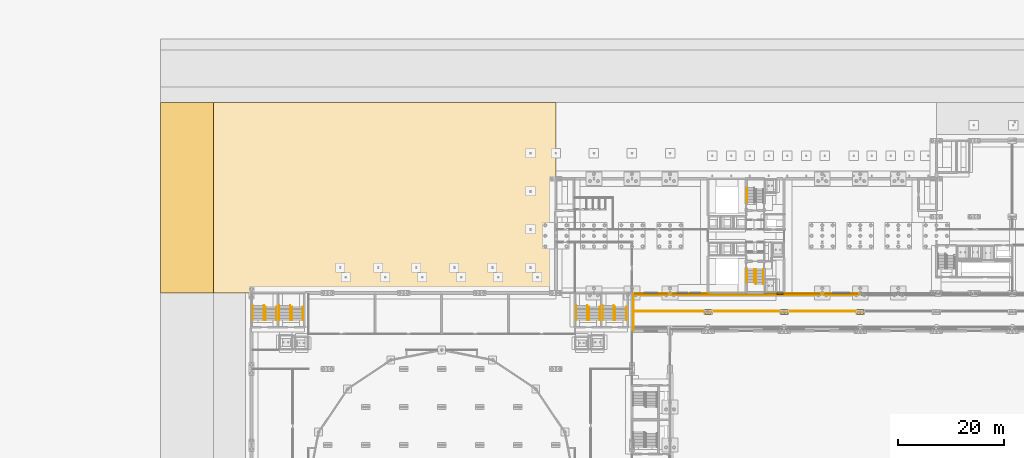
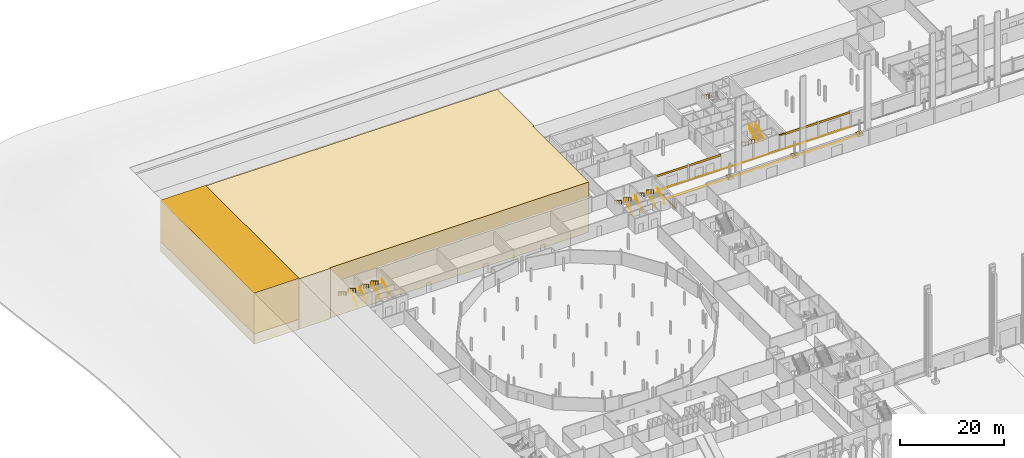
# One storey, part 138 of 148: 21 coverings, 21 railings.
"""IFC4 building model written with IfcOpenShell, lengths in metres."""

from ifc_helpers import new_model, si_unit, direction, frame, origin, origin_2d, place, context, subcontext, project, spatial, polyline, rectangle, circle, outline, extrude, material, layer, layer_set, type_object, element, save


model = new_model("IFC4")

# Units and contexts
model_context = context("Model", 3, precision=1e-05, world=origin(), true_north=direction((0.0, 1.0)))
body_context = subcontext(model_context, "Body", "Model", "MODEL_VIEW")
ifc_project = project(units=[si_unit("LENGTHUNIT", "METRE"), si_unit("AREAUNIT", "SQUARE_METRE"), si_unit("VOLUMEUNIT", "CUBIC_METRE"), si_unit("PLANEANGLEUNIT", "RADIAN"), si_unit("MASSUNIT", "GRAM", prefix="KILO")], contexts=[model_context])

# Site, building, storey
site_placement = place(None, origin())
site = spatial("IfcSite", under=ifc_project, at=site_placement, CompositionType="ELEMENT")
building_placement = place(site_placement, origin())
building = spatial("IfcBuilding", under=site, at=building_placement, Name="Kupolbacken Congress Centre", CompositionType="ELEMENT")
storey_placement = place(building_placement, origin())
storey = spatial("IfcBuildingStorey", under=building, at=storey_placement, Name="L00", CompositionType="ELEMENT", Elevation=0.0)

# Coverings
ifc_material_1 = material(Name="Limestone cladding", Category="masonry")
ifc_layer_1 = layer(ifc_material_1, 0.1201171875)
ifc_layer_set_1 = layer_set([ifc_layer_1], Name="Limestone cladding")
covering_type_1 = type_object("IfcCoveringType", Name="CV1 limestone cladding band 120", PredefinedType="CLADDING", material=ifc_layer_set_1)
covering_1_placement = place(storey_placement, frame((79.47998046875, 118.69189453125, 0.0), z_axis=(0.0, 0.0, 1.0), x_axis=(0.0, 1.0, 0.0)))
element("IfcCovering", 1, at=covering_1_placement, inside=storey, type_object=covering_type_1, Name="E/P/E/L00/093/band", PredefinedType="CLADDING", context=body_context, shape_type="SweptSolid", body=[
    extrude(rectangle(XDim=6.98388671875, YDim=0.1201171875, at=origin_2d()), origin(), (0.0, 0.0, 1.0), 0.300048828125),
])
covering_2_placement = place(storey_placement, frame((82.800048828125, 122.282470703125, 3.1201171875), z_axis=(0.0, 0.0, 1.0), x_axis=(1.0, 0.0, 0.0)))
element("IfcCovering", 2, at=covering_2_placement, inside=storey, type_object=covering_type_1, Name="E/T/S/L00/000/band", PredefinedType="CLADDING", context=body_context, shape_type="SweptSolid", body=[
    extrude(rectangle(XDim=6.89306640625, YDim=0.06494140625, at=origin_2d()), origin(), (0.0, 0.0, 1.0), 0.47998046875),
])
covering_3_placement = place(storey_placement, frame((90.07666015625, 122.282470703125, 3.1201171875), z_axis=(0.0, 0.0, 1.0), x_axis=(1.0, 0.0, 0.0)))
element("IfcCovering", 3, at=covering_3_placement, inside=storey, type_object=covering_type_1, Name="E/T/S/L00/001/band", PredefinedType="CLADDING", context=body_context, shape_type="SweptSolid", body=[
    extrude(rectangle(XDim=7.04638671875, YDim=0.06494140625, at=origin_2d()), origin(), (0.0, 0.0, 1.0), 0.47998046875),
])
covering_4_placement = place(storey_placement, frame((107.199951171875, 122.2451171875, 3.419921875), z_axis=(0.0, 0.0, 1.0), x_axis=(1.0, 0.0, 0.0)))
element("IfcCovering", 4, at=covering_4_placement, inside=storey, type_object=covering_type_1, Name="E/T/S/L00/002/band", PredefinedType="CLADDING", context=body_context, shape_type="SweptSolid", body=[
    extrude(rectangle(XDim=1.199951171875, YDim=0.31005859375, at=origin_2d()), origin(), (0.0, 0.0, 1.0), 0.179931640625),
])
covering_5_placement = place(storey_placement, frame((111.523193359375, 122.282470703125, 3.1201171875), z_axis=(0.0, 0.0, 1.0), x_axis=(1.0, 0.0, 0.0)))
element("IfcCovering", 5, at=covering_5_placement, inside=storey, type_object=covering_type_1, Name="E/T/S/L00/003/band", PredefinedType="CLADDING", context=body_context, shape_type="SweptSolid", body=[
    extrude(rectangle(XDim=7.04638671875, YDim=0.06494140625, at=origin_2d()), origin(), (0.0, 0.0, 1.0), 0.47998046875),
])
covering_6_placement = place(storey_placement, frame((118.800048828125, 122.282470703125, 3.1201171875), z_axis=(0.0, 0.0, 1.0), x_axis=(1.0, 0.0, 0.0)))
element("IfcCovering", 6, at=covering_6_placement, inside=storey, type_object=covering_type_1, Name="E/T/S/L00/004/band", PredefinedType="CLADDING", context=body_context, shape_type="SweptSolid", body=[
    extrude(rectangle(XDim=6.89306640625, YDim=0.06494140625, at=origin_2d()), origin(), (0.0, 0.0, 1.0), 0.47998046875),
])
ifc_material_2 = material(Name="Limestone cladding", Category="masonry")
ifc_layer_2 = layer(ifc_material_2, 0.60009765625)
ifc_layer_set_2 = layer_set([ifc_layer_2], Name="Limestone cladding")
covering_type_2 = type_object("IfcCoveringType", Name="CV5 limestone arcade pier 600", PredefinedType="CLADDING", material=ifc_layer_set_2)
covering_7_placement = place(storey_placement, frame((0.0, 0.0, 0.02001953125)))
element("IfcCovering", 7, at=covering_7_placement, inside=storey, type_object=covering_type_2, Name="Mast pedestal", PredefinedType="CLADDING", context=body_context, shape_type="SweptSolid", body=[
    extrude(outline(polyline([(93.0, 118.300048828125), (93.0, 119.300048828125), (94.199951171875, 119.300048828125), (94.199951171875, 118.300048828125), (93.0, 118.300048828125)]), holes=[polyline([(93.80224609375, 118.82666015625), (93.797119140625, 118.852783203125), (93.788330078125, 118.8779296875), (93.776611328125, 118.902099609375), (93.76171875, 118.924072265625), (93.744140625, 118.944091796875), (93.72412109375, 118.9619140625), (93.701904296875, 118.9765625), (93.677978515625, 118.98828125), (93.65283203125, 118.9970703125), (93.626708984375, 119.002197265625), (93.60009765625, 119.00390625), (93.573486328125, 119.002197265625), (93.547119140625, 118.9970703125), (93.52197265625, 118.98828125), (93.498046875, 118.9765625), (93.475830078125, 118.9619140625), (93.455810546875, 118.944091796875), (93.438232421875, 118.924072265625), (93.42333984375, 118.902099609375), (93.41162109375, 118.8779296875), (93.403076171875, 118.852783203125), (93.397705078125, 118.82666015625), (93.39599609375, 118.800048828125), (93.397705078125, 118.7734375), (93.403076171875, 118.747314453125), (93.41162109375, 118.721923828125), (93.42333984375, 118.697998046875), (93.438232421875, 118.67578125), (93.455810546875, 118.65576171875), (93.475830078125, 118.63818359375), (93.498046875, 118.623291015625), (93.52197265625, 118.611572265625), (93.547119140625, 118.60302734375), (93.573486328125, 118.597900390625), (93.60009765625, 118.59619140625), (93.626708984375, 118.597900390625), (93.65283203125, 118.60302734375), (93.677978515625, 118.611572265625), (93.701904296875, 118.623291015625), (93.72412109375, 118.63818359375), (93.744140625, 118.65576171875), (93.76171875, 118.67578125), (93.776611328125, 118.697998046875), (93.788330078125, 118.721923828125), (93.797119140625, 118.747314453125), (93.80224609375, 118.7734375), (93.803955078125, 118.800048828125), (93.80224609375, 118.82666015625)])]), origin(), (0.0, 0.0, 1.0), 0.60009765625),
])
covering_8_placement = place(storey_placement, frame((0.0, 0.0, 0.02001953125)))
element("IfcCovering", 8, at=covering_8_placement, inside=storey, type_object=covering_type_2, Name="Mast pedestal", PredefinedType="CLADDING", context=body_context, shape_type="SweptSolid", body=[
    extrude(outline(polyline([(107.39990234375, 118.300048828125), (107.39990234375, 119.300048828125), (108.60009765625, 119.300048828125), (108.60009765625, 118.300048828125), (107.39990234375, 118.300048828125)]), holes=[polyline([(108.2021484375, 118.82666015625), (108.197021484375, 118.852783203125), (108.1884765625, 118.8779296875), (108.176513671875, 118.902099609375), (108.161865234375, 118.924072265625), (108.144287109375, 118.944091796875), (108.1240234375, 118.9619140625), (108.10205078125, 118.9765625), (108.077880859375, 118.98828125), (108.052734375, 118.9970703125), (108.026611328125, 119.002197265625), (108.0, 119.00390625), (107.973388671875, 119.002197265625), (107.947265625, 118.9970703125), (107.922119140625, 118.98828125), (107.89794921875, 118.9765625), (107.8759765625, 118.9619140625), (107.855712890625, 118.944091796875), (107.838134765625, 118.924072265625), (107.823486328125, 118.902099609375), (107.8115234375, 118.8779296875), (107.802978515625, 118.852783203125), (107.7978515625, 118.82666015625), (107.796142578125, 118.800048828125), (107.7978515625, 118.7734375), (107.802978515625, 118.747314453125), (107.8115234375, 118.721923828125), (107.823486328125, 118.697998046875), (107.838134765625, 118.67578125), (107.855712890625, 118.65576171875), (107.8759765625, 118.63818359375), (107.89794921875, 118.623291015625), (107.922119140625, 118.611572265625), (107.947265625, 118.60302734375), (107.973388671875, 118.597900390625), (108.0, 118.59619140625), (108.026611328125, 118.597900390625), (108.052734375, 118.60302734375), (108.077880859375, 118.611572265625), (108.10205078125, 118.623291015625), (108.1240234375, 118.63818359375), (108.144287109375, 118.65576171875), (108.161865234375, 118.67578125), (108.176513671875, 118.697998046875), (108.1884765625, 118.721923828125), (108.197021484375, 118.747314453125), (108.2021484375, 118.7734375), (108.203857421875, 118.800048828125), (108.2021484375, 118.82666015625)])]), origin(), (0.0, 0.0, 1.0), 0.60009765625),
])
covering_9_placement = place(storey_placement, frame((0.0, 0.0, 0.02001953125)))
element("IfcCovering", 9, at=covering_9_placement, inside=storey, type_object=covering_type_2, Name="Mast pedestal", PredefinedType="CLADDING", context=body_context, shape_type="SweptSolid", body=[
    extrude(outline(polyline([(121.800048828125, 118.300048828125), (121.800048828125, 119.300048828125), (123.0, 119.300048828125), (123.0, 118.300048828125), (121.800048828125, 118.300048828125)]), holes=[polyline([(122.602294921875, 118.82666015625), (122.596923828125, 118.852783203125), (122.58837890625, 118.8779296875), (122.57666015625, 118.902099609375), (122.561767578125, 118.924072265625), (122.544189453125, 118.944091796875), (122.524169921875, 118.9619140625), (122.501953125, 118.9765625), (122.47802734375, 118.98828125), (122.452880859375, 118.9970703125), (122.426513671875, 119.002197265625), (122.39990234375, 119.00390625), (122.373291015625, 119.002197265625), (122.34716796875, 118.9970703125), (122.322021484375, 118.98828125), (122.298095703125, 118.9765625), (122.27587890625, 118.9619140625), (122.255859375, 118.944091796875), (122.23828125, 118.924072265625), (122.223388671875, 118.902099609375), (122.211669921875, 118.8779296875), (122.202880859375, 118.852783203125), (122.19775390625, 118.82666015625), (122.196044921875, 118.800048828125), (122.19775390625, 118.7734375), (122.202880859375, 118.747314453125), (122.211669921875, 118.721923828125), (122.223388671875, 118.697998046875), (122.23828125, 118.67578125), (122.255859375, 118.65576171875), (122.27587890625, 118.63818359375), (122.298095703125, 118.623291015625), (122.322021484375, 118.611572265625), (122.34716796875, 118.60302734375), (122.373291015625, 118.597900390625), (122.39990234375, 118.59619140625), (122.426513671875, 118.597900390625), (122.452880859375, 118.60302734375), (122.47802734375, 118.611572265625), (122.501953125, 118.623291015625), (122.524169921875, 118.63818359375), (122.544189453125, 118.65576171875), (122.561767578125, 118.67578125), (122.57666015625, 118.697998046875), (122.58837890625, 118.721923828125), (122.596923828125, 118.747314453125), (122.602294921875, 118.7734375), (122.60400390625, 118.800048828125), (122.602294921875, 118.82666015625)])]), origin(), (0.0, 0.0, 1.0), 0.60009765625),
])
ifc_material_3 = material(Name="Limestone cladding", Category="masonry")
ifc_layer_3 = layer(ifc_material_3, 0.02001953125)
ifc_layer_set_3 = layer_set([ifc_layer_3], Name="Limestone cladding")
covering_type_3 = type_object("IfcCoveringType", Name="GF1 limestone paving 20", PredefinedType="FLOORING", material=ifc_layer_set_3)
covering_10_placement = place(storey_placement, origin())
element("IfcCovering", 10, at=covering_10_placement, inside=storey, type_object=covering_type_3, Name="Bay and lane marking", PredefinedType="FLOORING", context=body_context, shape_type="SweptSolid", body=[
    extrude(outline(polyline([(93.161376953125, 118.993896484375), (93.156494140625, 118.983642578125), (93.140625, 118.939208984375), (93.129150390625, 118.893798828125), (93.122314453125, 118.84716796875), (93.1220703125, 118.84375), (79.5419921875, 118.84375), (79.5419921875, 118.993896484375), (93.161376953125, 118.993896484375)])), origin(), (0.0, 0.0, 1.0), 0.02001953125),
])
covering_11_placement = place(storey_placement, origin())
element("IfcCovering", 11, at=covering_11_placement, inside=storey, type_object=covering_type_3, Name="Bay and lane marking", PredefinedType="FLOORING", context=body_context, shape_type="SweptSolid", body=[
    extrude(outline(polyline([(107.561279296875, 118.993896484375), (107.54052734375, 118.939208984375), (107.529296875, 118.893798828125), (107.522216796875, 118.84375), (94.077880859375, 118.84375), (94.07080078125, 118.893798828125), (94.059326171875, 118.939208984375), (94.038818359375, 118.993896484375), (107.561279296875, 118.993896484375)])), origin(), (0.0, 0.0, 1.0), 0.02001953125),
])
covering_12_placement = place(storey_placement, origin())
element("IfcCovering", 12, at=covering_12_placement, inside=storey, type_object=covering_type_3, Name="Bay and lane marking", PredefinedType="FLOORING", context=body_context, shape_type="SweptSolid", body=[
    extrude(outline(polyline([(121.961181640625, 118.993896484375), (121.940673828125, 118.939208984375), (121.92919921875, 118.893798828125), (121.922119140625, 118.84375), (108.477783203125, 118.84375), (108.470703125, 118.893798828125), (108.45947265625, 118.939208984375), (108.438720703125, 118.993896484375), (121.961181640625, 118.993896484375)])), origin(), (0.0, 0.0, 1.0), 0.02001953125),
])
ifc_material_4 = material(Name="Asphalt", Category="masonry")
ifc_layer_4 = layer(ifc_material_4, 0.02001953125)
ifc_layer_set_4 = layer_set([ifc_layer_4], Name="Asphalt")
covering_type_4 = type_object("IfcCoveringType", Name="GF3 asphalt dock hardstanding 20", PredefinedType="FLOORING", material=ifc_layer_set_4)
covering_13_placement = place(storey_placement, origin())
element("IfcCovering", 13, at=covering_13_placement, inside=storey, type_object=covering_type_4, Name="Service lane asphalt", PredefinedType="FLOORING", context=body_context, shape_type="SweptSolid", body=[
    extrude(outline(polyline([(86.060546875, 122.060546875), (86.095458984375, 122.02880859375), (86.13330078125, 122.0009765625), (86.173583984375, 121.9765625), (86.138916015625, 121.99755859375), (79.5419921875, 121.99755859375), (79.5419921875, 122.0634765625), (79.571044921875, 122.095458984375), (79.57421875, 122.099609375), (86.02587890625, 122.099609375), (86.02880859375, 122.095458984375), (86.060546875, 122.060546875)])), origin(), (0.0, 0.0, 1.0), 0.02001953125),
])
covering_14_placement = place(storey_placement, origin())
element("IfcCovering", 14, at=covering_14_placement, inside=storey, type_object=covering_type_4, Name="Service lane asphalt", PredefinedType="FLOORING", context=body_context, shape_type="SweptSolid", body=[
    extrude(outline(polyline([(86.666748046875, 122.0009765625), (86.70458984375, 122.02880859375), (86.739501953125, 122.060546875), (86.774169921875, 122.099609375), (114.825927734375, 122.099609375), (114.860595703125, 122.060546875), (114.8955078125, 122.02880859375), (114.933349609375, 122.0009765625), (114.9736328125, 121.9765625), (114.93896484375, 121.99755859375), (86.6611328125, 121.99755859375), (86.626220703125, 121.9765625), (86.666748046875, 122.0009765625)])), origin(), (0.0, 0.0, 1.0), 0.02001953125),
])
covering_15_placement = place(storey_placement, origin())
element("IfcCovering", 15, at=covering_15_placement, inside=storey, type_object=covering_type_4, Name="Service lane asphalt", PredefinedType="FLOORING", context=body_context, shape_type="SweptSolid", body=[
    extrude(outline(polyline([(115.466796875, 122.0009765625), (115.50439453125, 122.02880859375), (115.539306640625, 122.060546875), (115.57421875, 122.099609375), (122.02587890625, 122.099609375), (122.060546875, 122.060546875), (122.095458984375, 122.02880859375), (122.13330078125, 122.0009765625), (122.173583984375, 121.9765625), (122.138916015625, 121.99755859375), (115.461181640625, 121.99755859375), (115.42626953125, 121.9765625), (115.466796875, 122.0009765625)])), origin(), (0.0, 0.0, 1.0), 0.02001953125),
])
ifc_material_5 = material(Name="Granite setts", Category="masonry")
ifc_layer_5 = layer(ifc_material_5, 0.10009765625)
ifc_layer_set_5 = layer_set([ifc_layer_5], Name="Granite setts")
covering_type_5 = type_object("IfcCoveringType", Name="GR3 granite sett paving 100", PredefinedType="FLOORING", material=ifc_layer_set_5)
covering_16_placement = place(storey_placement, origin())
element("IfcCovering", 16, at=covering_16_placement, inside=storey, type_object=covering_type_5, Name="Granite kerb edging", PredefinedType="FLOORING", context=body_context, shape_type="SweptSolid", body=[
    extrude(outline(polyline([(79.57421875, 122.099609375), (79.59912109375, 122.13330078125), (79.623291015625, 122.173583984375), (79.6435546875, 122.21630859375), (79.659423828125, 122.2607421875), (79.6708984375, 122.306396484375), (79.677734375, 122.352783203125), (79.679931640625, 122.3974609375), (85.920166015625, 122.3974609375), (85.92236328125, 122.352783203125), (85.92919921875, 122.306396484375), (85.940673828125, 122.2607421875), (85.95654296875, 122.21630859375), (85.9765625, 122.173583984375), (86.0009765625, 122.13330078125), (86.02587890625, 122.099609375), (79.57421875, 122.099609375)])), origin(), (0.0, 0.0, 1.0), 0.10009765625),
])
covering_17_placement = place(storey_placement, origin())
element("IfcCovering", 17, at=covering_17_placement, inside=storey, type_object=covering_type_5, Name="Granite kerb edging", PredefinedType="FLOORING", context=body_context, shape_type="SweptSolid", body=[
    extrude(outline(polyline([(93.3701171875, 122.3974609375), (93.3701171875, 122.27001953125), (100.594970703125, 122.27001953125), (100.594970703125, 122.195068359375), (104.22998046875, 122.195068359375), (104.22998046875, 122.3974609375), (114.72021484375, 122.3974609375), (114.722412109375, 122.352783203125), (114.729248046875, 122.306396484375), (114.740478515625, 122.2607421875), (114.756591796875, 122.21630859375), (114.776611328125, 122.173583984375), (114.80078125, 122.13330078125), (114.825927734375, 122.099609375), (86.774169921875, 122.099609375), (86.799072265625, 122.13330078125), (86.823486328125, 122.173583984375), (86.843505859375, 122.21630859375), (86.859375, 122.2607421875), (86.870849609375, 122.306396484375), (86.877685546875, 122.352783203125), (86.8798828125, 122.3974609375), (93.3701171875, 122.3974609375)])), origin(), (0.0, 0.0, 1.0), 0.10009765625),
])
covering_18_placement = place(storey_placement, origin())
element("IfcCovering", 18, at=covering_18_placement, inside=storey, type_object=covering_type_5, Name="Granite kerb edging", PredefinedType="FLOORING", context=body_context, shape_type="SweptSolid", body=[
    extrude(outline(polyline([(121.920166015625, 122.3974609375), (121.92236328125, 122.352783203125), (121.92919921875, 122.306396484375), (121.940673828125, 122.2607421875), (121.95654296875, 122.21630859375), (121.9765625, 122.173583984375), (122.0009765625, 122.13330078125), (122.02587890625, 122.099609375), (115.57421875, 122.099609375), (115.59912109375, 122.13330078125), (115.623291015625, 122.173583984375), (115.6435546875, 122.21630859375), (115.659423828125, 122.2607421875), (115.6708984375, 122.306396484375), (115.677734375, 122.352783203125), (115.679931640625, 122.3974609375), (121.920166015625, 122.3974609375)])), origin(), (0.0, 0.0, 1.0), 0.10009765625),
])
ifc_material_6 = material(Name="Made ground", Category="soil")
ifc_layer_6 = layer(ifc_material_6, 2.39990234375)
ifc_layer_set_6 = layer_set([ifc_layer_6], Name="Made ground")
covering_type_6 = type_object("IfcCoveringType", Name="GR5 earthworks, made ground", PredefinedType="FLOORING", material=ifc_layer_set_6)
covering_19_placement = place(storey_placement, frame((0.0, 0.0, -4.89990234375)))
element("IfcCovering", 19, at=covering_19_placement, inside=storey, type_object=covering_type_6, Name="Earth fill under forecourt, made ground", PredefinedType="FLOORING", context=body_context, shape_type="SweptSolid", body=[
    extrude(outline(polyline([(64.800048828125, 144.27490234375), (64.52490234375, 144.27490234375), (64.52490234375, 122.675048828125), (6.925048828125, 122.675048828125), (6.925048828125, 122.39990234375), (0.0009765625, 122.39990234375), (0.0009765625, 158.39892578125), (64.800048828125, 158.39892578125), (64.800048828125, 144.27490234375)])), origin(), (0.0, 0.0, 1.0), 11.869873046875),
])
covering_20_placement = place(storey_placement, frame((0.0, 0.0, -2.5)))
element("IfcCovering", 20, at=covering_20_placement, inside=storey, type_object=covering_type_6, Name="Earthworks, west hill 122, made ground", PredefinedType="FLOORING", context=body_context, shape_type="SweptSolid", body=[
    extrude(outline(polyline([(0.0, 122.39990234375), (-10.0, 122.39990234375), (-10.0, 158.39990234375), (0.0, 158.39990234375), (0.0, 122.39990234375)])), origin(), (0.0, 0.0, 1.0), 9.60009765625),
])
ifc_material_7 = material(Name="Clay till", Category="soil")
ifc_layer_7 = layer(ifc_material_7, 2.39990234375)
ifc_layer_set_7 = layer_set([ifc_layer_7], Name="Clay till")
covering_type_7 = type_object("IfcCoveringType", Name="GR6 earthworks, clay till", PredefinedType="FLOORING", material=ifc_layer_set_7)
covering_21_placement = place(storey_placement, frame((0.0, 0.0, -4.89990234375)))
element("IfcCovering", 21, at=covering_21_placement, inside=storey, type_object=covering_type_7, Name="Earthworks, west hill 122, clay till", PredefinedType="FLOORING", context=body_context, shape_type="SweptSolid", body=[
    extrude(outline(polyline([(0.0, 122.39990234375), (-10.0, 122.39990234375), (-10.0, 158.39990234375), (0.0, 158.39990234375), (0.0, 122.39990234375)])), origin(), (0.0, 0.0, 1.0), 2.39990234375),
])

# Railings
ifc_material_8 = material(Name="Steel S235", Category="steel")
railing_type = type_object("IfcRailingType", Name="RL3 handrail wall-mounted 900", PredefinedType="HANDRAIL", material=ifc_material_8)
for number, where, name in (
    (22, (9.85009765625, 117.2548828125, 0.17138671875), "C/stair/PS1NW/L00/HR1L"),
    (23, (11.949951171875, 117.2548828125, 0.17138671875), "C/stair/PS1NW/L00/HR1R"),
):
    element("IfcRailing", number, at=place(storey_placement, frame(where)), inside=storey, type_object=railing_type, Name=name, PredefinedType="HANDRAIL", context=body_context, shape_type="SweptSolid", body=[
        extrude(circle(Radius=0.02392578125, at=origin_2d()), frame((0.0, 0.0, 0.8759765625), z_axis=(0.0, 0.852836285881, 0.522178388565), x_axis=(-1.0, 0.0, 0.0)), (0.0, 0.0, 1.0), 2.954833984375),
        extrude(circle(Radius=0.02099609375, at=origin_2d()), origin(), (0.0, 0.0, 1.0), 0.851806640625),
        extrude(circle(Radius=0.02099609375, at=origin_2d()), frame((0.0, 1.260009765625, 0.771484375)), (0.0, 0.0, 1.0), 0.851806640625),
        extrude(circle(Radius=0.02099609375, at=origin_2d()), frame((0.0, 2.52001953125, 1.54296875)), (0.0, 0.0, 1.0), 0.851806640625),
    ])
for number, where, name in (
    (24, (9.550048828125, 120.054931640625, 1.8857421875), "C/stair/PS1NW/L00/HR2L"),
    (25, (7.449951171875, 120.054931640625, 1.8857421875), "C/stair/PS1NW/L00/HR2R"),
):
    element("IfcRailing", number, at=place(storey_placement, frame(where)), inside=storey, type_object=railing_type, Name=name, PredefinedType="HANDRAIL", context=body_context, shape_type="SweptSolid", body=[
        extrude(circle(Radius=0.02392578125, at=origin_2d()), frame((0.0, 0.0, 0.8759765625), z_axis=(0.0, -0.852845897599, 0.522162690116), x_axis=(1.0, 0.0, 0.0)), (0.0, 0.0, 1.0), 3.283203125),
        extrude(circle(Radius=0.02099609375, at=origin_2d()), origin(), (0.0, 0.0, 1.0), 0.851806640625),
        extrude(circle(Radius=0.02099609375, at=origin_2d()), frame((0.0, -0.933349609375, 0.571533203125)), (0.0, 0.0, 1.0), 0.851806640625),
        extrude(circle(Radius=0.02099609375, at=origin_2d()), frame((0.0, -1.86669921875, 1.142822265625)), (0.0, 0.0, 1.0), 0.851806640625),
        extrude(circle(Radius=0.02099609375, at=origin_2d()), frame((0.0, -2.800048828125, 1.71435546875)), (0.0, 0.0, 1.0), 0.851806640625),
    ])
for number, where, name in (
    (26, (14.85009765625, 117.2548828125, 0.17138671875), "C/stair/PS2NW/L00/HR1L"),
    (27, (16.949951171875, 117.2548828125, 0.17138671875), "C/stair/PS2NW/L00/HR1R"),
):
    element("IfcRailing", number, at=place(storey_placement, frame(where)), inside=storey, type_object=railing_type, Name=name, PredefinedType="HANDRAIL", context=body_context, shape_type="SweptSolid", body=[
        extrude(circle(Radius=0.02392578125, at=origin_2d()), frame((0.0, 0.0, 0.8759765625), z_axis=(0.0, 0.852836285881, 0.522178388565), x_axis=(-1.0, 0.0, 0.0)), (0.0, 0.0, 1.0), 2.954833984375),
        extrude(circle(Radius=0.02099609375, at=origin_2d()), origin(), (0.0, 0.0, 1.0), 0.851806640625),
        extrude(circle(Radius=0.02099609375, at=origin_2d()), frame((0.0, 1.260009765625, 0.771484375)), (0.0, 0.0, 1.0), 0.851806640625),
        extrude(circle(Radius=0.02099609375, at=origin_2d()), frame((0.0, 2.52001953125, 1.54296875)), (0.0, 0.0, 1.0), 0.851806640625),
    ])
for number, where, name in (
    (28, (14.550048828125, 120.054931640625, 1.8857421875), "C/stair/PS2NW/L00/HR2L"),
    (29, (12.449951171875, 120.054931640625, 1.8857421875), "C/stair/PS2NW/L00/HR2R"),
):
    element("IfcRailing", number, at=place(storey_placement, frame(where)), inside=storey, type_object=railing_type, Name=name, PredefinedType="HANDRAIL", context=body_context, shape_type="SweptSolid", body=[
        extrude(circle(Radius=0.02392578125, at=origin_2d()), frame((0.0, 0.0, 0.8759765625), z_axis=(0.0, -0.852845897599, 0.522162690116), x_axis=(1.0, 0.0, 0.0)), (0.0, 0.0, 1.0), 3.283203125),
        extrude(circle(Radius=0.02099609375, at=origin_2d()), origin(), (0.0, 0.0, 1.0), 0.851806640625),
        extrude(circle(Radius=0.02099609375, at=origin_2d()), frame((0.0, -0.933349609375, 0.571533203125)), (0.0, 0.0, 1.0), 0.851806640625),
        extrude(circle(Radius=0.02099609375, at=origin_2d()), frame((0.0, -1.86669921875, 1.142822265625)), (0.0, 0.0, 1.0), 0.851806640625),
        extrude(circle(Radius=0.02099609375, at=origin_2d()), frame((0.0, -2.800048828125, 1.71435546875)), (0.0, 0.0, 1.0), 0.851806640625),
    ])
for number, where, name in (
    (30, (71.050048828125, 117.2548828125, 0.17138671875), "C/stair/PS1NE/L00/HR1L"),
    (31, (73.14990234375, 117.2548828125, 0.17138671875), "C/stair/PS1NE/L00/HR1R"),
):
    element("IfcRailing", number, at=place(storey_placement, frame(where)), inside=storey, type_object=railing_type, Name=name, PredefinedType="HANDRAIL", context=body_context, shape_type="SweptSolid", body=[
        extrude(circle(Radius=0.02392578125, at=origin_2d()), frame((0.0, 0.0, 0.8759765625), z_axis=(0.0, 0.852836285881, 0.522178388565), x_axis=(-1.0, 0.0, 0.0)), (0.0, 0.0, 1.0), 2.954833984375),
        extrude(circle(Radius=0.02099609375, at=origin_2d()), origin(), (0.0, 0.0, 1.0), 0.851806640625),
        extrude(circle(Radius=0.02099609375, at=origin_2d()), frame((0.0, 1.260009765625, 0.771484375)), (0.0, 0.0, 1.0), 0.851806640625),
        extrude(circle(Radius=0.02099609375, at=origin_2d()), frame((0.0, 2.52001953125, 1.54296875)), (0.0, 0.0, 1.0), 0.851806640625),
    ])
for number, where, name in (
    (32, (70.75, 120.054931640625, 1.8857421875), "C/stair/PS1NE/L00/HR2L"),
    (33, (68.64990234375, 120.054931640625, 1.8857421875), "C/stair/PS1NE/L00/HR2R"),
):
    element("IfcRailing", number, at=place(storey_placement, frame(where)), inside=storey, type_object=railing_type, Name=name, PredefinedType="HANDRAIL", context=body_context, shape_type="SweptSolid", body=[
        extrude(circle(Radius=0.02392578125, at=origin_2d()), frame((0.0, 0.0, 0.8759765625), z_axis=(0.0, -0.852845897599, 0.522162690116), x_axis=(1.0, 0.0, 0.0)), (0.0, 0.0, 1.0), 3.283203125),
        extrude(circle(Radius=0.02099609375, at=origin_2d()), origin(), (0.0, 0.0, 1.0), 0.851806640625),
        extrude(circle(Radius=0.02099609375, at=origin_2d()), frame((0.0, -0.933349609375, 0.571533203125)), (0.0, 0.0, 1.0), 0.851806640625),
        extrude(circle(Radius=0.02099609375, at=origin_2d()), frame((0.0, -1.86669921875, 1.142822265625)), (0.0, 0.0, 1.0), 0.851806640625),
        extrude(circle(Radius=0.02099609375, at=origin_2d()), frame((0.0, -2.800048828125, 1.71435546875)), (0.0, 0.0, 1.0), 0.851806640625),
    ])
for number, where, name in (
    (34, (76.050048828125, 117.2548828125, 0.17138671875), "C/stair/PS2NE/L00/HR1L"),
    (35, (78.14990234375, 117.2548828125, 0.17138671875), "C/stair/PS2NE/L00/HR1R"),
):
    element("IfcRailing", number, at=place(storey_placement, frame(where)), inside=storey, type_object=railing_type, Name=name, PredefinedType="HANDRAIL", context=body_context, shape_type="SweptSolid", body=[
        extrude(circle(Radius=0.02392578125, at=origin_2d()), frame((0.0, 0.0, 0.8759765625), z_axis=(0.0, 0.852836285881, 0.522178388565), x_axis=(-1.0, 0.0, 0.0)), (0.0, 0.0, 1.0), 2.954833984375),
        extrude(circle(Radius=0.02099609375, at=origin_2d()), origin(), (0.0, 0.0, 1.0), 0.851806640625),
        extrude(circle(Radius=0.02099609375, at=origin_2d()), frame((0.0, 1.260009765625, 0.771484375)), (0.0, 0.0, 1.0), 0.851806640625),
        extrude(circle(Radius=0.02099609375, at=origin_2d()), frame((0.0, 2.52001953125, 1.54296875)), (0.0, 0.0, 1.0), 0.851806640625),
    ])
for number, where, name in (
    (36, (75.75, 120.054931640625, 1.8857421875), "C/stair/PS2NE/L00/HR2L"),
    (37, (73.64990234375, 120.054931640625, 1.8857421875), "C/stair/PS2NE/L00/HR2R"),
):
    element("IfcRailing", number, at=place(storey_placement, frame(where)), inside=storey, type_object=railing_type, Name=name, PredefinedType="HANDRAIL", context=body_context, shape_type="SweptSolid", body=[
        extrude(circle(Radius=0.02392578125, at=origin_2d()), frame((0.0, 0.0, 0.8759765625), z_axis=(0.0, -0.852845897599, 0.522162690116), x_axis=(1.0, 0.0, 0.0)), (0.0, 0.0, 1.0), 3.283203125),
        extrude(circle(Radius=0.02099609375, at=origin_2d()), origin(), (0.0, 0.0, 1.0), 0.851806640625),
        extrude(circle(Radius=0.02099609375, at=origin_2d()), frame((0.0, -0.933349609375, 0.571533203125)), (0.0, 0.0, 1.0), 0.851806640625),
        extrude(circle(Radius=0.02099609375, at=origin_2d()), frame((0.0, -1.86669921875, 1.142822265625)), (0.0, 0.0, 1.0), 0.851806640625),
        extrude(circle(Radius=0.02099609375, at=origin_2d()), frame((0.0, -2.800048828125, 1.71435546875)), (0.0, 0.0, 1.0), 0.851806640625),
    ])
for number, where, name in (
    (38, (102.35009765625, 126.89501953125, 0.17138671875), "C/stair/TS1/L00/HR1L"),
    (39, (100.949951171875, 126.89501953125, 0.17138671875), "C/stair/TS1/L00/HR1R"),
):
    element("IfcRailing", number, at=place(storey_placement, frame(where)), inside=storey, type_object=railing_type, Name=name, PredefinedType="HANDRAIL", context=body_context, shape_type="SweptSolid", body=[
        extrude(circle(Radius=0.02392578125, at=origin_2d()), frame((0.0, 0.0, 0.8759765625), z_axis=(0.0, -0.852836285881, 0.522178388565), x_axis=(1.0, 0.0, 0.0)), (0.0, 0.0, 1.0), 2.954833984375),
        extrude(circle(Radius=0.02099609375, at=origin_2d()), origin(), (0.0, 0.0, 1.0), 0.851806640625),
        extrude(circle(Radius=0.02099609375, at=origin_2d()), frame((0.0, -1.260009765625, 0.771484375)), (0.0, 0.0, 1.0), 0.851806640625),
        extrude(circle(Radius=0.02099609375, at=origin_2d()), frame((0.0, -2.52001953125, 1.54296875)), (0.0, 0.0, 1.0), 0.851806640625),
    ])
for number, where, name in (
    (40, (102.64990234375, 124.094970703125, 1.8857421875), "C/stair/TS1/L00/HR2L"),
    (41, (104.050048828125, 124.094970703125, 1.8857421875), "C/stair/TS1/L00/HR2R"),
):
    element("IfcRailing", number, at=place(storey_placement, frame(where)), inside=storey, type_object=railing_type, Name=name, PredefinedType="HANDRAIL", context=body_context, shape_type="SweptSolid", body=[
        extrude(circle(Radius=0.02392578125, at=origin_2d()), frame((0.0, 0.0, 0.8759765625), z_axis=(0.0, 0.852845897599, 0.522162690116), x_axis=(-1.0, 0.0, 0.0)), (0.0, 0.0, 1.0), 3.283203125),
        extrude(circle(Radius=0.02099609375, at=origin_2d()), origin(), (0.0, 0.0, 1.0), 0.851806640625),
        extrude(circle(Radius=0.02099609375, at=origin_2d()), frame((0.0, 0.933349609375, 0.571533203125)), (0.0, 0.0, 1.0), 0.851806640625),
        extrude(circle(Radius=0.02099609375, at=origin_2d()), frame((0.0, 1.86669921875, 1.142822265625)), (0.0, 0.0, 1.0), 0.851806640625),
        extrude(circle(Radius=0.02099609375, at=origin_2d()), frame((0.0, 2.800048828125, 1.71435546875)), (0.0, 0.0, 1.0), 0.851806640625),
    ])
railing_placement = place(storey_placement, frame((100.949951171875, 142.304931640625, 1.8857421875)))
element("IfcRailing", 42, at=railing_placement, inside=storey, type_object=railing_type, Name="C/stair/TS2/L00/HR2R", PredefinedType="HANDRAIL", context=body_context, shape_type="SweptSolid", body=[
    extrude(circle(Radius=0.02392578125, at=origin_2d()), frame((0.0, 0.0, 0.8759765625), z_axis=(0.0, -0.852845897599, 0.522162690116), x_axis=(1.0, 0.0, 0.0)), (0.0, 0.0, 1.0), 3.283203125),
    extrude(circle(Radius=0.02099609375, at=origin_2d()), origin(), (0.0, 0.0, 1.0), 0.851806640625),
    extrude(circle(Radius=0.02099609375, at=origin_2d()), frame((0.0, -0.933349609375, 0.571533203125)), (0.0, 0.0, 1.0), 0.851806640625),
    extrude(circle(Radius=0.02099609375, at=origin_2d()), frame((0.0, -1.86669921875, 1.142822265625)), (0.0, 0.0, 1.0), 0.851806640625),
    extrude(circle(Radius=0.02099609375, at=origin_2d()), frame((0.0, -2.800048828125, 1.71435546875)), (0.0, 0.0, 1.0), 0.851806640625),
])

save(model, "model.ifc")
